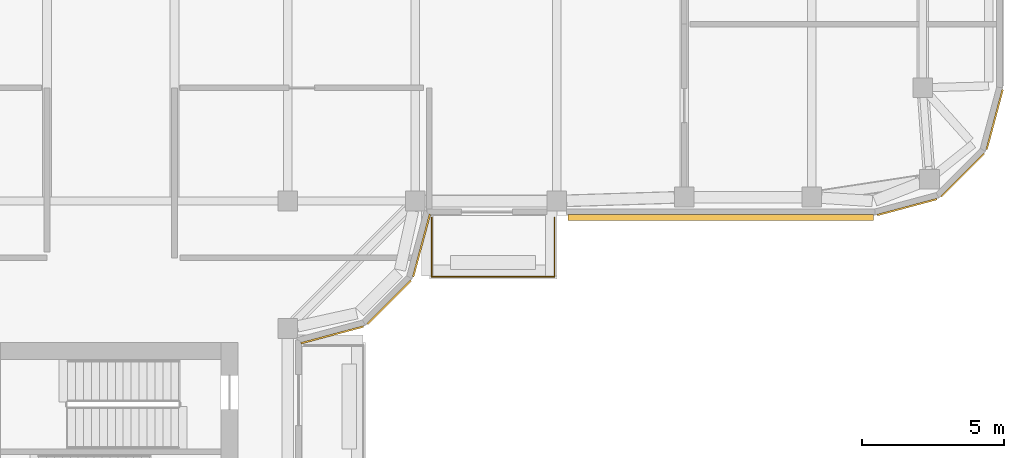
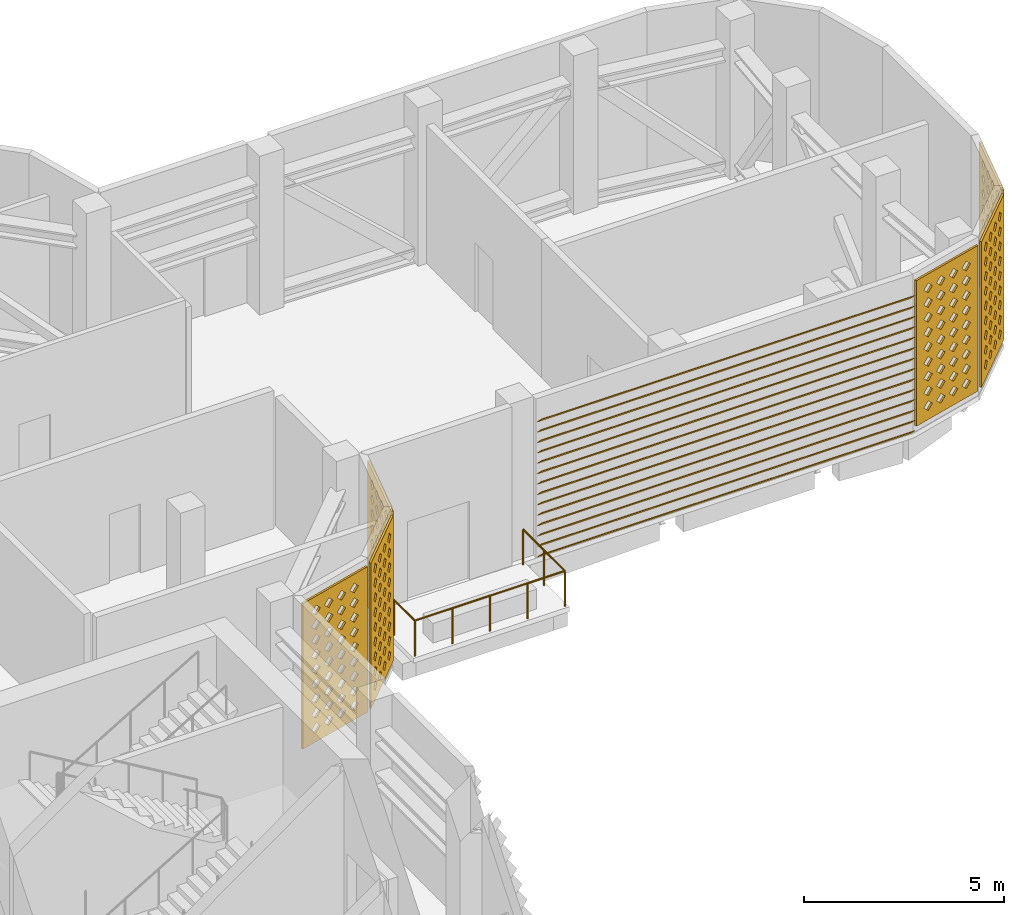
# One storey, part 14 of 20: 6 coverings, 1 railing, 1 shading device.
"""IFC4 building model written with IfcOpenShell, lengths in metres."""

from ifc_helpers import new_model, si_unit, direction, frame, origin, origin_2d, place, context, subcontext, project, spatial, polyline, circle, outline, extrude, source, transform, mapped, material, layer, layer_set, type_object, element, save


model = new_model("IFC4")

# Units and contexts
model_context = context("Model", 3, precision=1e-05, world=origin(), true_north=direction((0.0, 1.0)))
body_context = subcontext(model_context, "Body", "Model", "MODEL_VIEW")
ifc_project = project(units=[si_unit("LENGTHUNIT", "METRE"), si_unit("AREAUNIT", "SQUARE_METRE"), si_unit("VOLUMEUNIT", "CUBIC_METRE"), si_unit("PLANEANGLEUNIT", "RADIAN"), si_unit("MASSUNIT", "GRAM", prefix="KILO")], contexts=[model_context])

# Site, building, storey
site_placement = place(None, origin())
site = spatial("IfcSite", under=ifc_project, at=site_placement, CompositionType="ELEMENT")
building_placement = place(site_placement, origin())
building = spatial("IfcBuilding", under=site, at=building_placement, Name="Zarbagh Exchange Tower", CompositionType="ELEMENT")
storey_placement = place(building_placement, frame((0.0, 0.0, 244.800048828125)))
storey = spatial("IfcBuildingStorey", under=building, at=storey_placement, Name="L60", CompositionType="ELEMENT", Elevation=244.800048828125)

# Railing
ifc_material_1 = material(Name="Stainless steel and laminated glass", Category="steel")
railing_type = type_object("IfcRailingType", Name="Terrace guard, glass balustrade 1.1 m", PredefinedType="GUARDRAIL", material=ifc_material_1)
railing_placement = place(storey_placement, frame((15.669921875, -6.830078125, 0.0)))
element("IfcRailing", 1, at=railing_placement, inside=storey, type_object=railing_type, Name="TG01 terrace guard", PredefinedType="GUARDRAIL", context=body_context, shape_type="SweptSolid", body=[
    extrude(circle(Radius=0.02490234375, at=origin_2d()), frame((0.0, 0.0, 1.0751953125), z_axis=(0.0, -1.0, 0.0), x_axis=(1.0, 0.0, 0.0)), (0.0, 0.0, 1.0), 2.08984375),
    extrude(circle(Radius=0.02490234375, at=origin_2d()), frame((0.0, -2.08984375, 1.0751953125), z_axis=(-1.0, 0.0, 0.0), x_axis=(0.0, -1.0, 0.0)), (0.0, 0.0, 1.0), 4.33984375),
    extrude(circle(Radius=0.02490234375, at=origin_2d()), frame((-4.33984375, -2.08984375, 1.0751953125), z_axis=(0.0, 1.0, 0.0), x_axis=(-1.0, 0.0, 0.0)), (0.0, 0.0, 1.0), 2.08984375),
    extrude(circle(Radius=0.02490234375, at=origin_2d()), origin(), (0.0, 0.0, 1.0), 1.050048828125),
    extrude(circle(Radius=0.02490234375, at=origin_2d()), frame((0.0, -1.044921875, 0.0)), (0.0, 0.0, 1.0), 1.050048828125),
    extrude(circle(Radius=0.02490234375, at=origin_2d()), frame((0.0, -2.08984375, 0.0)), (0.0, 0.0, 1.0), 1.050048828125),
    extrude(circle(Radius=0.02490234375, at=origin_2d()), frame((-1.0849609375, -2.08984375, 0.0)), (0.0, 0.0, 1.0), 1.050048828125),
    extrude(circle(Radius=0.02490234375, at=origin_2d()), frame((-2.169921875, -2.08984375, 0.0)), (0.0, 0.0, 1.0), 1.050048828125),
    extrude(circle(Radius=0.02490234375, at=origin_2d()), frame((-3.2548828125, -2.08984375, 0.0)), (0.0, 0.0, 1.0), 1.050048828125),
    extrude(circle(Radius=0.02490234375, at=origin_2d()), frame((-4.33984375, -2.08984375, 0.0)), (0.0, 0.0, 1.0), 1.050048828125),
    extrude(circle(Radius=0.02490234375, at=origin_2d()), frame((-4.33984375, -1.044921875, 0.0)), (0.0, 0.0, 1.0), 1.050048828125),
    extrude(circle(Radius=0.02490234375, at=origin_2d()), frame((-4.33984375, 0.0, 0.0)), (0.0, 0.0, 1.0), 1.050048828125),
])

# Coverings
ifc_material_2 = material(Name="Glass-fibre reinforced concrete GFRC C50/60", Category="concrete")
ifc_layer = layer(ifc_material_2, 0.06005859375)
ifc_layer_set = layer_set([ifc_layer], Name="SCREEN jali panel, GFRC")
covering_type = type_object("IfcCoveringType", Name="SCREEN jali panel, GFRC", PredefinedType="CLADDING", material=ifc_layer_set)
shared_shape_1 = source(origin(), body_context, "Body", "SweptSolid", [
    extrude(outline(polyline([(0.0, 0.0), (2.1650390625, 0.0), (2.1650390625, 4.449951171875), (0.0, 4.449951171875), (0.0, 0.0)]), holes=[polyline([(0.257568359375, 0.425048828125), (0.407470703125, 0.27490234375), (0.5576171875, 0.425048828125), (0.407470703125, 0.574951171875), (0.257568359375, 0.425048828125)]), polyline([(0.257568359375, 0.875), (0.407470703125, 0.72509765625), (0.5576171875, 0.875), (0.407470703125, 1.02490234375), (0.257568359375, 0.875)]), polyline([(0.257568359375, 1.324951171875), (0.407470703125, 1.175048828125), (0.5576171875, 1.324951171875), (0.407470703125, 1.47509765625), (0.257568359375, 1.324951171875)]), polyline([(0.257568359375, 1.77490234375), (0.407470703125, 1.625), (0.5576171875, 1.77490234375), (0.407470703125, 1.925048828125), (0.257568359375, 1.77490234375)]), polyline([(0.257568359375, 2.22509765625), (0.407470703125, 2.074951171875), (0.5576171875, 2.22509765625), (0.407470703125, 2.375), (0.257568359375, 2.22509765625)]), polyline([(0.257568359375, 2.675048828125), (0.407470703125, 2.52490234375), (0.5576171875, 2.675048828125), (0.407470703125, 2.824951171875), (0.257568359375, 2.675048828125)]), polyline([(0.257568359375, 3.125), (0.407470703125, 2.97509765625), (0.5576171875, 3.125), (0.407470703125, 3.27490234375), (0.257568359375, 3.125)]), polyline([(0.257568359375, 3.574951171875), (0.407470703125, 3.425048828125), (0.5576171875, 3.574951171875), (0.407470703125, 3.72509765625), (0.257568359375, 3.574951171875)]), polyline([(0.257568359375, 4.02490234375), (0.407470703125, 3.875), (0.5576171875, 4.02490234375), (0.407470703125, 4.175048828125), (0.257568359375, 4.02490234375)]), polyline([(0.70751953125, 0.425048828125), (0.857421875, 0.27490234375), (1.007568359375, 0.425048828125), (0.857421875, 0.574951171875), (0.70751953125, 0.425048828125)]), polyline([(0.70751953125, 0.875), (0.857421875, 0.72509765625), (1.007568359375, 0.875), (0.857421875, 1.02490234375), (0.70751953125, 0.875)]), polyline([(0.70751953125, 1.324951171875), (0.857421875, 1.175048828125), (1.007568359375, 1.324951171875), (0.857421875, 1.47509765625), (0.70751953125, 1.324951171875)]), polyline([(0.70751953125, 1.77490234375), (0.857421875, 1.625), (1.007568359375, 1.77490234375), (0.857421875, 1.925048828125), (0.70751953125, 1.77490234375)]), polyline([(0.70751953125, 2.22509765625), (0.857421875, 2.074951171875), (1.007568359375, 2.22509765625), (0.857421875, 2.375), (0.70751953125, 2.22509765625)]), polyline([(0.70751953125, 2.675048828125), (0.857421875, 2.52490234375), (1.007568359375, 2.675048828125), (0.857421875, 2.824951171875), (0.70751953125, 2.675048828125)]), polyline([(0.70751953125, 3.125), (0.857421875, 2.97509765625), (1.007568359375, 3.125), (0.857421875, 3.27490234375), (0.70751953125, 3.125)]), polyline([(0.70751953125, 3.574951171875), (0.857421875, 3.425048828125), (1.007568359375, 3.574951171875), (0.857421875, 3.72509765625), (0.70751953125, 3.574951171875)]), polyline([(0.70751953125, 4.02490234375), (0.857421875, 3.875), (1.007568359375, 4.02490234375), (0.857421875, 4.175048828125), (0.70751953125, 4.02490234375)]), polyline([(1.157470703125, 0.425048828125), (1.3076171875, 0.27490234375), (1.45751953125, 0.425048828125), (1.3076171875, 0.574951171875), (1.157470703125, 0.425048828125)]), polyline([(1.157470703125, 0.875), (1.3076171875, 0.72509765625), (1.45751953125, 0.875), (1.3076171875, 1.02490234375), (1.157470703125, 0.875)]), polyline([(1.157470703125, 1.324951171875), (1.3076171875, 1.175048828125), (1.45751953125, 1.324951171875), (1.3076171875, 1.47509765625), (1.157470703125, 1.324951171875)]), polyline([(1.157470703125, 1.77490234375), (1.3076171875, 1.625), (1.45751953125, 1.77490234375), (1.3076171875, 1.925048828125), (1.157470703125, 1.77490234375)]), polyline([(1.157470703125, 2.22509765625), (1.3076171875, 2.074951171875), (1.45751953125, 2.22509765625), (1.3076171875, 2.375), (1.157470703125, 2.22509765625)]), polyline([(1.157470703125, 2.675048828125), (1.3076171875, 2.52490234375), (1.45751953125, 2.675048828125), (1.3076171875, 2.824951171875), (1.157470703125, 2.675048828125)]), polyline([(1.157470703125, 3.125), (1.3076171875, 2.97509765625), (1.45751953125, 3.125), (1.3076171875, 3.27490234375), (1.157470703125, 3.125)]), polyline([(1.157470703125, 3.574951171875), (1.3076171875, 3.425048828125), (1.45751953125, 3.574951171875), (1.3076171875, 3.72509765625), (1.157470703125, 3.574951171875)]), polyline([(1.157470703125, 4.02490234375), (1.3076171875, 3.875), (1.45751953125, 4.02490234375), (1.3076171875, 4.175048828125), (1.157470703125, 4.02490234375)]), polyline([(1.607421875, 0.425048828125), (1.757568359375, 0.27490234375), (1.907470703125, 0.425048828125), (1.757568359375, 0.574951171875), (1.607421875, 0.425048828125)]), polyline([(1.607421875, 0.875), (1.757568359375, 0.72509765625), (1.907470703125, 0.875), (1.757568359375, 1.02490234375), (1.607421875, 0.875)]), polyline([(1.607421875, 1.324951171875), (1.757568359375, 1.175048828125), (1.907470703125, 1.324951171875), (1.757568359375, 1.47509765625), (1.607421875, 1.324951171875)]), polyline([(1.607421875, 1.77490234375), (1.757568359375, 1.625), (1.907470703125, 1.77490234375), (1.757568359375, 1.925048828125), (1.607421875, 1.77490234375)]), polyline([(1.607421875, 2.22509765625), (1.757568359375, 2.074951171875), (1.907470703125, 2.22509765625), (1.757568359375, 2.375), (1.607421875, 2.22509765625)]), polyline([(1.607421875, 2.675048828125), (1.757568359375, 2.52490234375), (1.907470703125, 2.675048828125), (1.757568359375, 2.824951171875), (1.607421875, 2.675048828125)]), polyline([(1.607421875, 3.125), (1.757568359375, 2.97509765625), (1.907470703125, 3.125), (1.757568359375, 3.27490234375), (1.607421875, 3.125)]), polyline([(1.607421875, 3.574951171875), (1.757568359375, 3.425048828125), (1.907470703125, 3.574951171875), (1.757568359375, 3.72509765625), (1.607421875, 3.574951171875)]), polyline([(1.607421875, 4.02490234375), (1.757568359375, 3.875), (1.907470703125, 4.02490234375), (1.757568359375, 4.175048828125), (1.607421875, 4.02490234375)])]), origin(), (0.0, 0.0, 1.0), 0.06005859375),
])
placement = place(storey_placement, origin())
element("IfcCovering", 2, at=placement, inside=storey, type_object=covering_type, Name="JS05 jali screen", PredefinedType="CLADDING", context=body_context, shape_type="MappedRepresentation", body=[
    mapped(shared_shape_1, transform((9.0439453125, -10.574951171875, 0.199951171875), x_axis=(0.707106781187, 0.707106781187, 0.0), y_axis=(0.0, 0.0, 1.0), z_axis=(0.707106781187, -0.707106781187, 0.0))),
])
element("IfcCovering", 3, at=placement, inside=storey, type_object=covering_type, Name="JS42 jali screen", PredefinedType="CLADDING", context=body_context, shape_type="MappedRepresentation", body=[
    mapped(shared_shape_1, transform((29.2939453125, -6.074951171875, 0.199951171875), x_axis=(0.707106781187, 0.707106781187, 0.0), y_axis=(0.0, 0.0, 1.0), z_axis=(0.707106781187, -0.707106781187, 0.0))),
])
shared_shape_2 = source(origin(), body_context, "Body", "SweptSolid", [
    extrude(outline(polyline([(0.0, 0.0), (2.181396484375, 0.0), (2.181396484375, 4.449951171875), (0.0, 4.449951171875), (0.0, 0.0)]), holes=[polyline([(0.265625, 0.425048828125), (0.415771484375, 0.27490234375), (0.565673828125, 0.425048828125), (0.415771484375, 0.574951171875), (0.265625, 0.425048828125)]), polyline([(0.265625, 0.875), (0.415771484375, 0.72509765625), (0.565673828125, 0.875), (0.415771484375, 1.02490234375), (0.265625, 0.875)]), polyline([(0.265625, 1.324951171875), (0.415771484375, 1.175048828125), (0.565673828125, 1.324951171875), (0.415771484375, 1.47509765625), (0.265625, 1.324951171875)]), polyline([(0.265625, 1.77490234375), (0.415771484375, 1.625), (0.565673828125, 1.77490234375), (0.415771484375, 1.925048828125), (0.265625, 1.77490234375)]), polyline([(0.265625, 2.22509765625), (0.415771484375, 2.074951171875), (0.565673828125, 2.22509765625), (0.415771484375, 2.375), (0.265625, 2.22509765625)]), polyline([(0.265625, 2.675048828125), (0.415771484375, 2.52490234375), (0.565673828125, 2.675048828125), (0.415771484375, 2.824951171875), (0.265625, 2.675048828125)]), polyline([(0.265625, 3.125), (0.415771484375, 2.97509765625), (0.565673828125, 3.125), (0.415771484375, 3.27490234375), (0.265625, 3.125)]), polyline([(0.265625, 3.574951171875), (0.415771484375, 3.425048828125), (0.565673828125, 3.574951171875), (0.415771484375, 3.72509765625), (0.265625, 3.574951171875)]), polyline([(0.265625, 4.02490234375), (0.415771484375, 3.875), (0.565673828125, 4.02490234375), (0.415771484375, 4.175048828125), (0.265625, 4.02490234375)]), polyline([(0.7158203125, 0.425048828125), (0.86572265625, 0.27490234375), (1.015625, 0.425048828125), (0.86572265625, 0.574951171875), (0.7158203125, 0.425048828125)]), polyline([(0.7158203125, 0.875), (0.86572265625, 0.72509765625), (1.015625, 0.875), (0.86572265625, 1.02490234375), (0.7158203125, 0.875)]), polyline([(0.7158203125, 1.324951171875), (0.86572265625, 1.175048828125), (1.015625, 1.324951171875), (0.86572265625, 1.47509765625), (0.7158203125, 1.324951171875)]), polyline([(0.7158203125, 1.77490234375), (0.86572265625, 1.625), (1.015625, 1.77490234375), (0.86572265625, 1.925048828125), (0.7158203125, 1.77490234375)]), polyline([(0.7158203125, 2.22509765625), (0.86572265625, 2.074951171875), (1.015625, 2.22509765625), (0.86572265625, 2.375), (0.7158203125, 2.22509765625)]), polyline([(0.7158203125, 2.675048828125), (0.86572265625, 2.52490234375), (1.015625, 2.675048828125), (0.86572265625, 2.824951171875), (0.7158203125, 2.675048828125)]), polyline([(0.7158203125, 3.125), (0.86572265625, 2.97509765625), (1.015625, 3.125), (0.86572265625, 3.27490234375), (0.7158203125, 3.125)]), polyline([(0.7158203125, 3.574951171875), (0.86572265625, 3.425048828125), (1.015625, 3.574951171875), (0.86572265625, 3.72509765625), (0.7158203125, 3.574951171875)]), polyline([(0.7158203125, 4.02490234375), (0.86572265625, 3.875), (1.015625, 4.02490234375), (0.86572265625, 4.175048828125), (0.7158203125, 4.02490234375)]), polyline([(1.165771484375, 0.425048828125), (1.315673828125, 0.27490234375), (1.4658203125, 0.425048828125), (1.315673828125, 0.574951171875), (1.165771484375, 0.425048828125)]), polyline([(1.165771484375, 0.875), (1.315673828125, 0.72509765625), (1.4658203125, 0.875), (1.315673828125, 1.02490234375), (1.165771484375, 0.875)]), polyline([(1.165771484375, 1.324951171875), (1.315673828125, 1.175048828125), (1.4658203125, 1.324951171875), (1.315673828125, 1.47509765625), (1.165771484375, 1.324951171875)]), polyline([(1.165771484375, 1.77490234375), (1.315673828125, 1.625), (1.4658203125, 1.77490234375), (1.315673828125, 1.925048828125), (1.165771484375, 1.77490234375)]), polyline([(1.165771484375, 2.22509765625), (1.315673828125, 2.074951171875), (1.4658203125, 2.22509765625), (1.315673828125, 2.375), (1.165771484375, 2.22509765625)]), polyline([(1.165771484375, 2.675048828125), (1.315673828125, 2.52490234375), (1.4658203125, 2.675048828125), (1.315673828125, 2.824951171875), (1.165771484375, 2.675048828125)]), polyline([(1.165771484375, 3.125), (1.315673828125, 2.97509765625), (1.4658203125, 3.125), (1.315673828125, 3.27490234375), (1.165771484375, 3.125)]), polyline([(1.165771484375, 3.574951171875), (1.315673828125, 3.425048828125), (1.4658203125, 3.574951171875), (1.315673828125, 3.72509765625), (1.165771484375, 3.574951171875)]), polyline([(1.165771484375, 4.02490234375), (1.315673828125, 3.875), (1.4658203125, 4.02490234375), (1.315673828125, 4.175048828125), (1.165771484375, 4.02490234375)]), polyline([(1.61572265625, 0.425048828125), (1.765625, 0.27490234375), (1.915771484375, 0.425048828125), (1.765625, 0.574951171875), (1.61572265625, 0.425048828125)]), polyline([(1.61572265625, 0.875), (1.765625, 0.72509765625), (1.915771484375, 0.875), (1.765625, 1.02490234375), (1.61572265625, 0.875)]), polyline([(1.61572265625, 1.324951171875), (1.765625, 1.175048828125), (1.915771484375, 1.324951171875), (1.765625, 1.47509765625), (1.61572265625, 1.324951171875)]), polyline([(1.61572265625, 1.77490234375), (1.765625, 1.625), (1.915771484375, 1.77490234375), (1.765625, 1.925048828125), (1.61572265625, 1.77490234375)]), polyline([(1.61572265625, 2.22509765625), (1.765625, 2.074951171875), (1.915771484375, 2.22509765625), (1.765625, 2.375), (1.61572265625, 2.22509765625)]), polyline([(1.61572265625, 2.675048828125), (1.765625, 2.52490234375), (1.915771484375, 2.675048828125), (1.765625, 2.824951171875), (1.61572265625, 2.675048828125)]), polyline([(1.61572265625, 3.125), (1.765625, 2.97509765625), (1.915771484375, 3.125), (1.765625, 3.27490234375), (1.61572265625, 3.125)]), polyline([(1.61572265625, 3.574951171875), (1.765625, 3.425048828125), (1.915771484375, 3.574951171875), (1.765625, 3.72509765625), (1.61572265625, 3.574951171875)]), polyline([(1.61572265625, 4.02490234375), (1.765625, 3.875), (1.915771484375, 4.02490234375), (1.765625, 4.175048828125), (1.61572265625, 4.02490234375)])]), origin(), (0.0, 0.0, 1.0), 0.06005859375),
])
element("IfcCovering", 4, at=placement, inside=storey, type_object=covering_type, Name="JS41 jali screen", PredefinedType="CLADDING", context=body_context, shape_type="MappedRepresentation", body=[
    mapped(shared_shape_2, transform((27.058349609375, -6.713623046875, 0.199951171875), x_axis=(0.965924215207, 0.258825057666, 0.0), y_axis=(0.0, 0.0, 1.0), z_axis=(0.258825057666, -0.965924215207, 0.0))),
])
element("IfcCovering", 5, at=placement, inside=storey, type_object=covering_type, Name="JS43 jali screen", PredefinedType="CLADDING", context=body_context, shape_type="MappedRepresentation", body=[
    mapped(shared_shape_2, transform((30.89892578125, -4.41552734375, 0.199951171875), x_axis=(0.258825057666, 0.965924215207, 0.0), y_axis=(0.0, 0.0, 1.0), z_axis=(0.965924215207, -0.258825057666, 0.0))),
])
shared_shape_3 = source(origin(), body_context, "Body", "SweptSolid", [
    extrude(outline(polyline([(0.0, 0.0), (2.289306640625, 0.0), (2.289306640625, 4.449951171875), (0.0, 4.449951171875), (0.0, 0.0)]), holes=[polyline([(0.319580078125, 0.425048828125), (0.4697265625, 0.27490234375), (0.61962890625, 0.425048828125), (0.4697265625, 0.574951171875), (0.319580078125, 0.425048828125)]), polyline([(0.319580078125, 0.875), (0.4697265625, 0.72509765625), (0.61962890625, 0.875), (0.4697265625, 1.02490234375), (0.319580078125, 0.875)]), polyline([(0.319580078125, 1.324951171875), (0.4697265625, 1.175048828125), (0.61962890625, 1.324951171875), (0.4697265625, 1.47509765625), (0.319580078125, 1.324951171875)]), polyline([(0.319580078125, 1.77490234375), (0.4697265625, 1.625), (0.61962890625, 1.77490234375), (0.4697265625, 1.925048828125), (0.319580078125, 1.77490234375)]), polyline([(0.319580078125, 2.22509765625), (0.4697265625, 2.074951171875), (0.61962890625, 2.22509765625), (0.4697265625, 2.375), (0.319580078125, 2.22509765625)]), polyline([(0.319580078125, 2.675048828125), (0.4697265625, 2.52490234375), (0.61962890625, 2.675048828125), (0.4697265625, 2.824951171875), (0.319580078125, 2.675048828125)]), polyline([(0.319580078125, 3.125), (0.4697265625, 2.97509765625), (0.61962890625, 3.125), (0.4697265625, 3.27490234375), (0.319580078125, 3.125)]), polyline([(0.319580078125, 3.574951171875), (0.4697265625, 3.425048828125), (0.61962890625, 3.574951171875), (0.4697265625, 3.72509765625), (0.319580078125, 3.574951171875)]), polyline([(0.319580078125, 4.02490234375), (0.4697265625, 3.875), (0.61962890625, 4.02490234375), (0.4697265625, 4.175048828125), (0.319580078125, 4.02490234375)]), polyline([(0.76953125, 0.425048828125), (0.919677734375, 0.27490234375), (1.069580078125, 0.425048828125), (0.919677734375, 0.574951171875), (0.76953125, 0.425048828125)]), polyline([(0.76953125, 0.875), (0.919677734375, 0.72509765625), (1.069580078125, 0.875), (0.919677734375, 1.02490234375), (0.76953125, 0.875)]), polyline([(0.76953125, 1.324951171875), (0.919677734375, 1.175048828125), (1.069580078125, 1.324951171875), (0.919677734375, 1.47509765625), (0.76953125, 1.324951171875)]), polyline([(0.76953125, 1.77490234375), (0.919677734375, 1.625), (1.069580078125, 1.77490234375), (0.919677734375, 1.925048828125), (0.76953125, 1.77490234375)]), polyline([(0.76953125, 2.22509765625), (0.919677734375, 2.074951171875), (1.069580078125, 2.22509765625), (0.919677734375, 2.375), (0.76953125, 2.22509765625)]), polyline([(0.76953125, 2.675048828125), (0.919677734375, 2.52490234375), (1.069580078125, 2.675048828125), (0.919677734375, 2.824951171875), (0.76953125, 2.675048828125)]), polyline([(0.76953125, 3.125), (0.919677734375, 2.97509765625), (1.069580078125, 3.125), (0.919677734375, 3.27490234375), (0.76953125, 3.125)]), polyline([(0.76953125, 3.574951171875), (0.919677734375, 3.425048828125), (1.069580078125, 3.574951171875), (0.919677734375, 3.72509765625), (0.76953125, 3.574951171875)]), polyline([(0.76953125, 4.02490234375), (0.919677734375, 3.875), (1.069580078125, 4.02490234375), (0.919677734375, 4.175048828125), (0.76953125, 4.02490234375)]), polyline([(1.2197265625, 0.425048828125), (1.36962890625, 0.27490234375), (1.51953125, 0.425048828125), (1.36962890625, 0.574951171875), (1.2197265625, 0.425048828125)]), polyline([(1.2197265625, 0.875), (1.36962890625, 0.72509765625), (1.51953125, 0.875), (1.36962890625, 1.02490234375), (1.2197265625, 0.875)]), polyline([(1.2197265625, 1.324951171875), (1.36962890625, 1.175048828125), (1.51953125, 1.324951171875), (1.36962890625, 1.47509765625), (1.2197265625, 1.324951171875)]), polyline([(1.2197265625, 1.77490234375), (1.36962890625, 1.625), (1.51953125, 1.77490234375), (1.36962890625, 1.925048828125), (1.2197265625, 1.77490234375)]), polyline([(1.2197265625, 2.22509765625), (1.36962890625, 2.074951171875), (1.51953125, 2.22509765625), (1.36962890625, 2.375), (1.2197265625, 2.22509765625)]), polyline([(1.2197265625, 2.675048828125), (1.36962890625, 2.52490234375), (1.51953125, 2.675048828125), (1.36962890625, 2.824951171875), (1.2197265625, 2.675048828125)]), polyline([(1.2197265625, 3.125), (1.36962890625, 2.97509765625), (1.51953125, 3.125), (1.36962890625, 3.27490234375), (1.2197265625, 3.125)]), polyline([(1.2197265625, 3.574951171875), (1.36962890625, 3.425048828125), (1.51953125, 3.574951171875), (1.36962890625, 3.72509765625), (1.2197265625, 3.574951171875)]), polyline([(1.2197265625, 4.02490234375), (1.36962890625, 3.875), (1.51953125, 4.02490234375), (1.36962890625, 4.175048828125), (1.2197265625, 4.02490234375)]), polyline([(1.669677734375, 0.425048828125), (1.819580078125, 0.27490234375), (1.9697265625, 0.425048828125), (1.819580078125, 0.574951171875), (1.669677734375, 0.425048828125)]), polyline([(1.669677734375, 0.875), (1.819580078125, 0.72509765625), (1.9697265625, 0.875), (1.819580078125, 1.02490234375), (1.669677734375, 0.875)]), polyline([(1.669677734375, 1.324951171875), (1.819580078125, 1.175048828125), (1.9697265625, 1.324951171875), (1.819580078125, 1.47509765625), (1.669677734375, 1.324951171875)]), polyline([(1.669677734375, 1.77490234375), (1.819580078125, 1.625), (1.9697265625, 1.77490234375), (1.819580078125, 1.925048828125), (1.669677734375, 1.77490234375)]), polyline([(1.669677734375, 2.22509765625), (1.819580078125, 2.074951171875), (1.9697265625, 2.22509765625), (1.819580078125, 2.375), (1.669677734375, 2.22509765625)]), polyline([(1.669677734375, 2.675048828125), (1.819580078125, 2.52490234375), (1.9697265625, 2.675048828125), (1.819580078125, 2.824951171875), (1.669677734375, 2.675048828125)]), polyline([(1.669677734375, 3.125), (1.819580078125, 2.97509765625), (1.9697265625, 3.125), (1.819580078125, 3.27490234375), (1.669677734375, 3.125)]), polyline([(1.669677734375, 3.574951171875), (1.819580078125, 3.425048828125), (1.9697265625, 3.574951171875), (1.819580078125, 3.72509765625), (1.669677734375, 3.574951171875)]), polyline([(1.669677734375, 4.02490234375), (1.819580078125, 3.875), (1.9697265625, 4.02490234375), (1.819580078125, 4.175048828125), (1.669677734375, 4.02490234375)])]), origin(), (0.0, 0.0, 1.0), 0.06005859375),
])
element("IfcCovering", 6, at=placement, inside=storey, type_object=covering_type, Name="JS04 jali screen", PredefinedType="CLADDING", context=body_context, shape_type="MappedRepresentation", body=[
    mapped(shared_shape_3, transform((6.7041015625, -11.241455078125, 0.199951171875), x_axis=(0.965924215207, 0.258825057666, 0.0), y_axis=(0.0, 0.0, 1.0), z_axis=(0.258825057666, -0.965924215207, 0.0))),
])
element("IfcCovering", 7, at=placement, inside=storey, type_object=covering_type, Name="JS06 jali screen", PredefinedType="CLADDING", context=body_context, shape_type="MappedRepresentation", body=[
    mapped(shared_shape_3, transform((10.64892578125, -8.91552734375, 0.199951171875), x_axis=(0.258825057666, 0.965924215207, 0.0), y_axis=(0.0, 0.0, 1.0), z_axis=(0.965924215207, -0.258825057666, 0.0))),
])

# Shading device
ifc_material_3 = material(Name="Anodised aluminium", Category="aluminium")
shading_device_type = type_object("IfcShadingDeviceType", Name="LOUVRE plant louvre, fixed blades", PredefinedType="USERDEFINED", material=ifc_material_3)
shared_shape_4 = source(origin(), body_context, "Body", "SweptSolid", [
    extrude(outline(polyline([(0.0, 0.199951171875), (0.199951171875, 0.0), (0.199951171875, -0.02001953125), (0.0, 0.179931640625), (0.0, 0.199951171875)])), origin(), (0.0, 0.0, 1.0), 10.794189453125),
])
element("IfcShadingDevice", 8, at=placement, inside=storey, type_object=shading_device_type, Name="LV09 plant louvre", ObjectType="LOUVRE", PredefinedType="USERDEFINED", context=body_context, shape_type="MappedRepresentation", body=[
    mapped(shared_shape_4, transform((16.14013671875, -6.72998046875, 0.199951171875), x_axis=(0.0, -1.0, 0.0), y_axis=(0.0, 0.0, -1.0), z_axis=(1.0, 0.0, 0.0))),
    mapped(shared_shape_4, transform((16.14013671875, -6.72998046875, 0.517822265625), x_axis=(0.0, -1.0, 0.0), y_axis=(0.0, 0.0, -1.0), z_axis=(1.0, 0.0, 0.0))),
    mapped(shared_shape_4, transform((16.14013671875, -6.72998046875, 0.835693359375), x_axis=(0.0, -1.0, 0.0), y_axis=(0.0, 0.0, -1.0), z_axis=(1.0, 0.0, 0.0))),
    mapped(shared_shape_4, transform((16.14013671875, -6.72998046875, 1.153564453125), x_axis=(0.0, -1.0, 0.0), y_axis=(0.0, 0.0, -1.0), z_axis=(1.0, 0.0, 0.0))),
    mapped(shared_shape_4, transform((16.14013671875, -6.72998046875, 1.471435546875), x_axis=(0.0, -1.0, 0.0), y_axis=(0.0, 0.0, -1.0), z_axis=(1.0, 0.0, 0.0))),
    mapped(shared_shape_4, transform((16.14013671875, -6.72998046875, 1.789306640625), x_axis=(0.0, -1.0, 0.0), y_axis=(0.0, 0.0, -1.0), z_axis=(1.0, 0.0, 0.0))),
    mapped(shared_shape_4, transform((16.14013671875, -6.72998046875, 2.107177734375), x_axis=(0.0, -1.0, 0.0), y_axis=(0.0, 0.0, -1.0), z_axis=(1.0, 0.0, 0.0))),
    mapped(shared_shape_4, transform((16.14013671875, -6.72998046875, 2.425048828125), x_axis=(0.0, -1.0, 0.0), y_axis=(0.0, 0.0, -1.0), z_axis=(1.0, 0.0, 0.0))),
    mapped(shared_shape_4, transform((16.14013671875, -6.72998046875, 2.742919921875), x_axis=(0.0, -1.0, 0.0), y_axis=(0.0, 0.0, -1.0), z_axis=(1.0, 0.0, 0.0))),
    mapped(shared_shape_4, transform((16.14013671875, -6.72998046875, 3.060546875), x_axis=(0.0, -1.0, 0.0), y_axis=(0.0, 0.0, -1.0), z_axis=(1.0, 0.0, 0.0))),
    mapped(shared_shape_4, transform((16.14013671875, -6.72998046875, 3.37841796875), x_axis=(0.0, -1.0, 0.0), y_axis=(0.0, 0.0, -1.0), z_axis=(1.0, 0.0, 0.0))),
    mapped(shared_shape_4, transform((16.14013671875, -6.72998046875, 3.6962890625), x_axis=(0.0, -1.0, 0.0), y_axis=(0.0, 0.0, -1.0), z_axis=(1.0, 0.0, 0.0))),
    mapped(shared_shape_4, transform((16.14013671875, -6.72998046875, 4.01416015625), x_axis=(0.0, -1.0, 0.0), y_axis=(0.0, 0.0, -1.0), z_axis=(1.0, 0.0, 0.0))),
    mapped(shared_shape_4, transform((16.14013671875, -6.72998046875, 4.33203125), x_axis=(0.0, -1.0, 0.0), y_axis=(0.0, 0.0, -1.0), z_axis=(1.0, 0.0, 0.0))),
])

save(model, "model.ifc")
